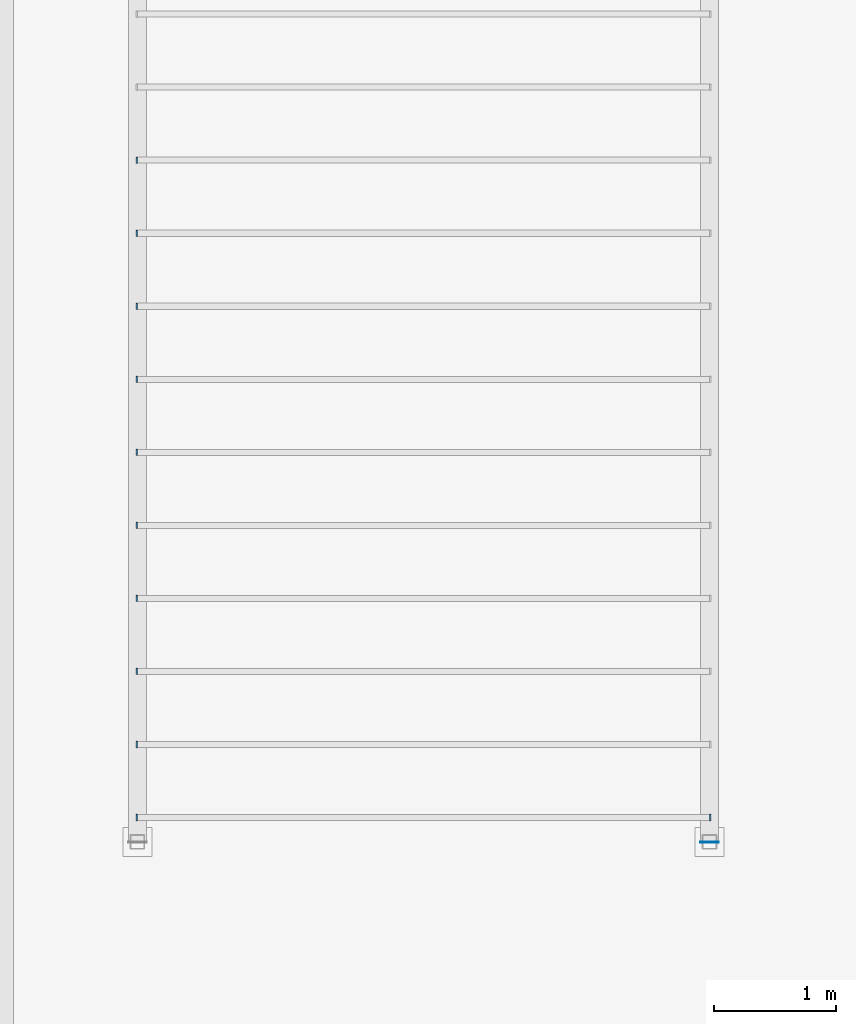
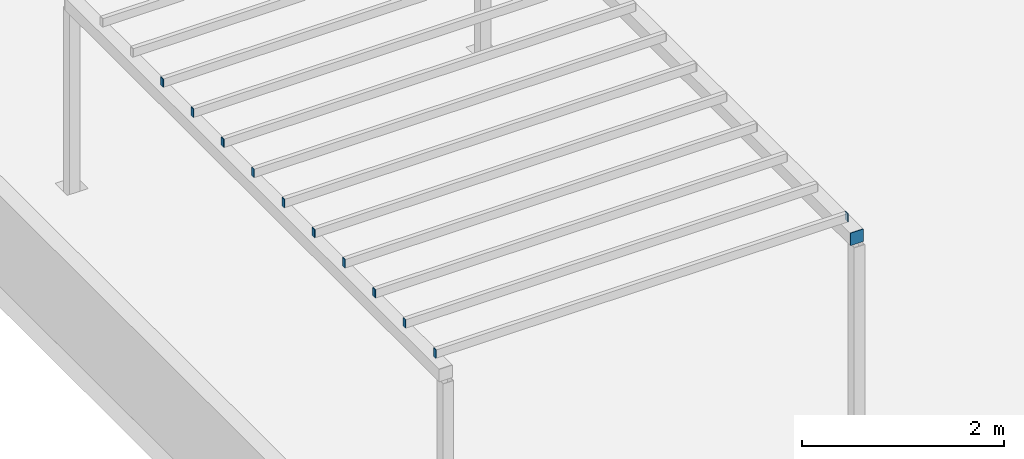
# One storey, part 76 of 92: 12 discrete accessories.
"""IFC4 building model written with IfcOpenShell, lengths in metres."""

from ifc_helpers import new_model, si_unit, direction, frame, origin, origin_2d, place, context, subcontext, project, spatial, rectangle, extrude, material, material_profile, profile_set, type_object, element, save


model = new_model("IFC4")

# Units and contexts
model_context = context("Model", 3, precision=1e-05, world=origin(), true_north=direction((0.0, 1.0)))
body_context = subcontext(model_context, "Body", "Model", "MODEL_VIEW")
ifc_project = project(units=[si_unit("LENGTHUNIT", "METRE"), si_unit("AREAUNIT", "SQUARE_METRE"), si_unit("VOLUMEUNIT", "CUBIC_METRE"), si_unit("PLANEANGLEUNIT", "RADIAN"), si_unit("MASSUNIT", "GRAM", prefix="KILO")], contexts=[model_context])

# Site, building, storey
site_placement = place(None, origin())
site = spatial("IfcSite", under=ifc_project, at=site_placement, CompositionType="ELEMENT")
building_placement = place(site_placement, origin())
building = spatial("IfcBuilding", under=site, at=building_placement, Name="Laocheng Heights Fire and Rescue Headquarters", CompositionType="ELEMENT")
storey_placement = place(building_placement, frame((0.0, 0.0, 12.60009765625)))
storey = spatial("IfcBuildingStorey", under=building, at=storey_placement, Name="L03", CompositionType="ELEMENT", Elevation=12.60009765625)

# Discrete accessories
ifc_material_1 = material(Name="Steel Q355B", Category="steel")
ifc_material_profile_1 = material_profile(ifc_material_1, rectangle(XDim=0.14990234375, YDim=0.14990234375, at=origin_2d()), Name="END CAP PLATE 150 x 150 x 8 FOR STEEL TRELLIS BEAM RHS 150x150x6")
ifc_profile_set_1 = profile_set([ifc_material_profile_1], Name="Steel Q355B")
discrete_accessory_type_1 = type_object("IfcDiscreteAccessoryType", Name="END CAP PLATE 150 x 150 x 8 FOR STEEL TRELLIS BEAM RHS 150x150x6", PredefinedType="BRACKET", material=ifc_profile_set_1)
discrete_accessory_placement = place(storey_placement, frame((59.89990234375, 7.19189453125, 2.625), z_axis=(0.0, 1.0, 0.0), x_axis=(-1.0, 0.0, 0.0)))
element("IfcDiscreteAccessory", 1, at=discrete_accessory_placement, inside=storey, type_object=discrete_accessory_type_1, Name="Cap plate at Trellis beam end 1", PredefinedType="BRACKET", context=body_context, shape_type="SweptSolid", body=[
    extrude(rectangle(XDim=0.14990234375, YDim=0.14990234375, at=origin_2d()), origin(), (0.0, 0.0, 1.0), 0.008056640625),
])
ifc_material_2 = material(Name="Steel Q355B", Category="steel")
ifc_material_profile_2 = material_profile(ifc_material_2, rectangle(XDim=0.050048828125, YDim=0.10009765625, at=origin_2d()), Name="END CAP PLATE 50 x 100 x 8 FOR STEEL TRELLIS JOIST RHS 100x50x4")
ifc_profile_set_2 = profile_set([ifc_material_profile_2], Name="Steel Q355B")
discrete_accessory_type_2 = type_object("IfcDiscreteAccessoryType", Name="END CAP PLATE 50 x 100 x 8 FOR STEEL TRELLIS JOIST RHS 100x50x4", PredefinedType="BRACKET", material=ifc_profile_set_2)
for number, where, z_axis, x_axis, name in (
    (2, (55.19189453125, 7.39990234375, 2.75), (1.0, 0.0, 0.0), (0.0, 1.0, 0.0), "Cap plate at Trellis E flank joist end 1"),
    (3, (59.89990234375, 7.39990234375, 2.75), (1.0, 0.0, 0.0), (0.0, 1.0, 0.0), "Cap plate at Trellis E flank joist end 2"),
    (4, (55.19189453125, 12.800048828125, 2.75), (1.0, 0.0, 0.0), (0.0, 1.0, 0.0), "Cap plate at Trellis E flank joist end 1"),
    (5, (55.19189453125, 8.0, 2.75), (1.0, 0.0, 0.0), (0.0, 1.0, 0.0), "Cap plate at Trellis E flank joist end 1"),
    (6, (55.19189453125, 8.60009765625, 2.75), (1.0, 0.0, 0.0), (0.0, 1.0, 0.0), "Cap plate at Trellis E flank joist end 1"),
    (7, (55.19189453125, 9.199951171875, 2.75), (1.0, 0.0, 0.0), (0.0, 1.0, 0.0), "Cap plate at Trellis E flank joist end 1"),
    (8, (55.19189453125, 9.800048828125, 2.75), (1.0, 0.0, 0.0), (0.0, 1.0, 0.0), "Cap plate at Trellis E flank joist end 1"),
    (9, (55.19189453125, 10.39990234375, 2.75), (1.0, 0.0, 0.0), (0.0, 1.0, 0.0), "Cap plate at Trellis E flank joist end 1"),
    (10, (55.19189453125, 11.0, 2.75), (1.0, 0.0, 0.0), (0.0, 1.0, 0.0), "Cap plate at Trellis E flank joist end 1"),
    (11, (55.19189453125, 11.60009765625, 2.75), (1.0, 0.0, 0.0), (0.0, 1.0, 0.0), "Cap plate at Trellis E flank joist end 1"),
    (12, (55.19189453125, 12.199951171875, 2.75), (1.0, 0.0, 0.0), (0.0, 1.0, 0.0), "Cap plate at Trellis E flank joist end 1"),
):
    element("IfcDiscreteAccessory", number, at=place(storey_placement, frame(where, z_axis=z_axis, x_axis=x_axis)), inside=storey, type_object=discrete_accessory_type_2, Name=name, PredefinedType="BRACKET", context=body_context, shape_type="SweptSolid", body=[
        extrude(rectangle(XDim=0.050048828125, YDim=0.10009765625, at=origin_2d()), origin(), (0.0, 0.0, 1.0), 0.008056640625),
    ])

save(model, "model.ifc")
